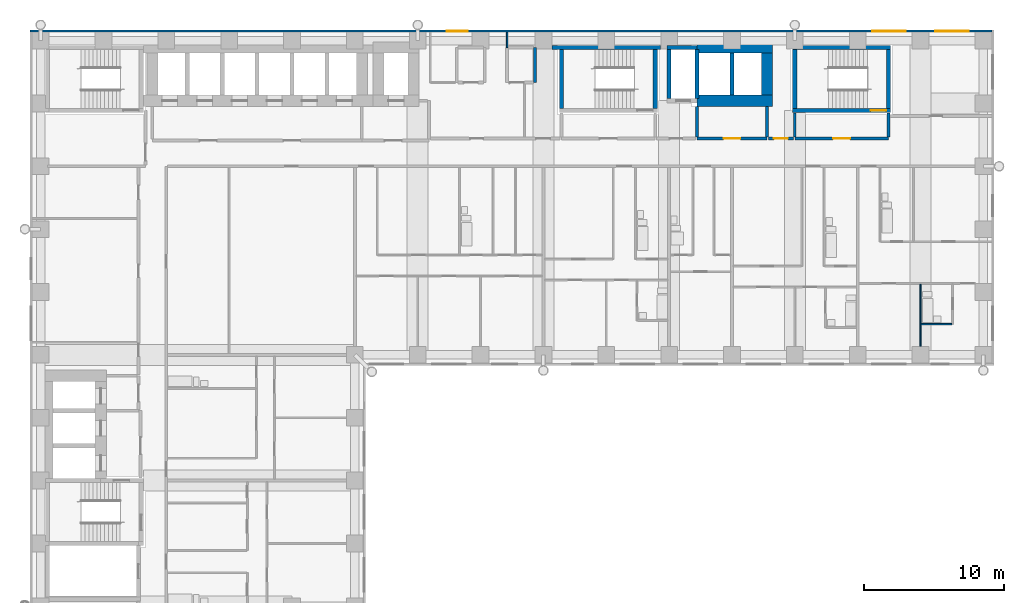
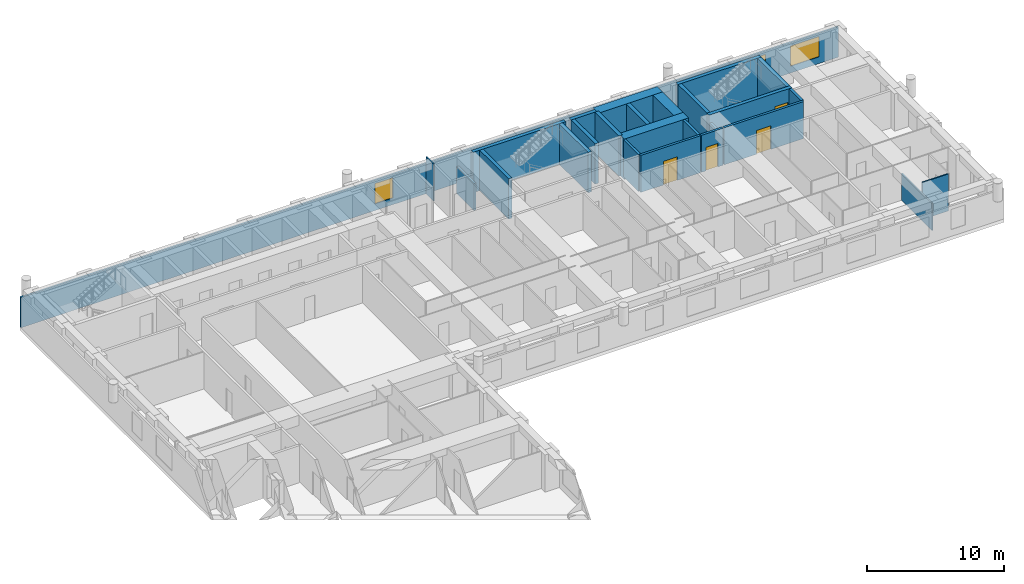
# One storey, part 10 of 14: 26 walls, 4 doors, 3 windows, 7 openings.
"""IFC4 building model written with IfcOpenShell, lengths in metres."""

import ifcopenshell
import ifcopenshell.guid

model = None  # the IFC model being written
_history = None  # IfcOwnerHistory: only IFC2X3 demands one
_inside = {}  # id of a spatial element -> (the spatial element, [elements in it])
_under = {}  # id of a project, library or spatial element -> (it, [spatial elements below it])
_declared = {}  # id of a project -> (the project, [libraries it declares])
_typed = {}  # id of a type object -> (the type object, [elements of that type])
_made_of = {}  # id of a material, layer set ... -> (it, [elements and type objects made of it])


def new_model(schema):
    """Start an empty IFC model of exactly this schema.

    Asked for "IFC4X3", IfcOpenShell would pick the latest addendum, in which some entities
    have other attributes; the version numbers below select the first issue.
    IFC2X3 requires an IfcOwnerHistory on every rooted entity: one is made here for all.
    """
    global model, _history
    if schema == "IFC4X3":
        model = ifcopenshell.file(schema_version=(4, 3, 0, 0))
    else:
        model = ifcopenshell.file(schema=schema)
    _inside.clear()
    _under.clear()
    _declared.clear()
    _typed.clear()
    _made_of.clear()
    _history = None
    if model.schema == "IFC2X3":
        org = make("IfcOrganization", Name="unknown")
        user = make(
            "IfcPersonAndOrganization",
            ThePerson=make("IfcPerson", FamilyName="unknown"),
            TheOrganization=org,
        )
        app = make(
            "IfcApplication",
            ApplicationDeveloper=org,
            Version="unknown",
            ApplicationFullName="unknown",
            ApplicationIdentifier="unknown",
        )
        _history = make(
            "IfcOwnerHistory",
            OwningUser=user,
            OwningApplication=app,
            ChangeAction="ADDED",
            CreationDate=0,
        )
    return model


def make(cls, **values):
    """One entity of the class cls with the attributes given. An attribute that is None is left unset."""
    return model.create_entity(
        cls, **{name: value for name, value in values.items() if value is not None}
    )


def rooted(cls, **values):
    """An entity with a GlobalId (a new one), such as an element, a storey or a relation."""
    return make(cls, GlobalId=ifcopenshell.guid.new(), OwnerHistory=_history, **values)


def si_unit(unit_type, name, prefix=None):
    """IfcSIUnit, for example si_unit("LENGTHUNIT", "METRE", prefix="MILLI")."""
    return make("IfcSIUnit", UnitType=unit_type, Prefix=prefix, Name=name)


def assignment(units):
    """IfcUnitAssignment: the units of a project."""
    return None if units is None else make("IfcUnitAssignment", Units=units)


def point(xyz):
    """IfcCartesianPoint."""
    return None if xyz is None else make("IfcCartesianPoint", Coordinates=xyz)


def direction(xyz):
    """IfcDirection."""
    return None if xyz is None else make("IfcDirection", DirectionRatios=xyz)


def frame(location, z_axis=None, x_axis=None):
    """IfcAxis2Placement3D, a coordinate frame: its origin and axes. An axis left out is left unset."""
    return make(
        "IfcAxis2Placement3D",
        Location=point(location),
        Axis=direction(z_axis),
        RefDirection=direction(x_axis),
    )


def frame_2d(location, x_axis=None):
    """IfcAxis2Placement2D, a coordinate frame in the plane: its origin and x axis."""
    return make(
        "IfcAxis2Placement2D", Location=point(location), RefDirection=direction(x_axis)
    )


def origin():
    """The frame at (0, 0, 0) with its axes left unset."""
    return frame((0.0, 0.0, 0.0))


def place(relative_to, where):
    """IfcLocalPlacement: puts the frame where relative to a parent placement (None: the world)."""
    return make(
        "IfcLocalPlacement", PlacementRelTo=relative_to, RelativePlacement=where
    )


def context(
    kind, dimensions, precision=None, world=None, true_north=None, identifier=None
):
    """IfcGeometricRepresentationContext, for example the 3D "Model" context."""
    return make(
        "IfcGeometricRepresentationContext",
        ContextIdentifier=identifier,
        ContextType=kind,
        CoordinateSpaceDimension=dimensions,
        Precision=precision,
        WorldCoordinateSystem=world,
        TrueNorth=true_north,
    )


def subcontext(parent, identifier, kind, view, scale=None):
    """IfcGeometricRepresentationSubContext, for example "Body" below "Model"."""
    return make(
        "IfcGeometricRepresentationSubContext",
        ContextIdentifier=identifier,
        ContextType=kind,
        ParentContext=parent,
        TargetScale=scale,
        TargetView=view,
    )


def project(units=None, contexts=None):
    """IfcProject with its units and contexts."""
    return rooted(
        "IfcProject",
        Name="project",
        RepresentationContexts=contexts,
        UnitsInContext=assignment(units),
    )


def spatial(cls, under=None, at=None, **own):
    """A site, building, storey or space (cls), placed at a placement, below another one or the project."""
    s = rooted(cls, ObjectPlacement=at, **own)
    if under is not None:
        _under.setdefault(under.id(), (under, []))[1].append(s)
    return s


def profile(cls, at=None, kind="AREA", **sizes):
    """A parametric profile (cls). Its sizes go by their IFC names, for example OverallWidth=200.0."""
    return make(cls, ProfileType=kind, Position=at, **sizes)


def rectangle(**sizes):
    """IfcRectangleProfileDef."""
    return profile("IfcRectangleProfileDef", **sizes)


def extrude(swept, where, along, depth):
    """IfcExtrudedAreaSolid: the profile swept, set in the frame where, extruded along a direction by depth."""
    return make(
        "IfcExtrudedAreaSolid",
        SweptArea=swept,
        Position=where,
        ExtrudedDirection=direction(along),
        Depth=depth,
    )


def shape(context_of_items, identifier, shape_type, items):
    """IfcShapeRepresentation: the items that make up one representation, for example the "Body"."""
    return make(
        "IfcShapeRepresentation",
        ContextOfItems=context_of_items,
        RepresentationIdentifier=identifier,
        RepresentationType=shape_type,
        Items=items,
    )


def material(Name=None, Category=None):
    """IfcMaterial."""
    return make("IfcMaterial", Name=Name, Category=Category)


def layer(
    of_material, thickness, ventilated=None, Name=None, Category=None, Priority=None
):
    """IfcMaterialLayer: one layer of a wall or slab, of a material (None: an air gap)."""
    return make(
        "IfcMaterialLayer",
        Material=of_material,
        LayerThickness=thickness,
        IsVentilated=ventilated,
        Name=Name,
        Category=Category,
        Priority=Priority,
    )


def layer_set(layers, Name=None):
    """IfcMaterialLayerSet."""
    return make("IfcMaterialLayerSet", MaterialLayers=layers, LayerSetName=Name)


def made_of(thing, what):
    """Note that an element or type object is made of a material, layer set ...; save() writes the relation."""
    if what is not None:
        _made_of.setdefault(what.id(), (what, []))[1].append(thing)
    return thing


def type_object(cls, material=None, **own):
    """A type object (cls), such as IfcWallType, which elements share."""
    return made_of(rooted(cls, **own), material)


def element(
    cls,
    number,
    at=None,
    inside=None,
    cuts=None,
    type_object=None,
    material=None,
    context=None,
    identifier="Body",
    shape_type=None,
    held_by="IfcProductDefinitionShape",
    body=None,
    shapes=None,
    **own,
):
    """One element of the class cls, such as IfcWall. Its Tag is "e" and its number.

    at: its placement. inside: the storey or other place that contains it. cuts: it is an
    opening in that element (IfcRelVoidsElement). A single representation is given by context,
    identifier, shape_type and body (its items); several are given by shapes. held_by: the class
    of the entity that holds the representations. save() writes the other relations.
    """
    e = rooted(cls, Tag="e%d" % number, ObjectPlacement=at, **own)
    if body is not None:
        shapes = [shape(context, identifier, shape_type, body)]
    if shapes is not None:
        e.Representation = make(held_by, Representations=shapes)
    if inside is not None:
        _inside.setdefault(inside.id(), (inside, []))[1].append(e)
    if cuts is not None:
        rooted(
            "IfcRelVoidsElement", RelatingBuildingElement=cuts, RelatedOpeningElement=e
        )
    if type_object is not None:
        _typed.setdefault(type_object.id(), (type_object, []))[1].append(e)
    return made_of(e, material)


def fill(opening, filler):
    """IfcRelFillsElement: the door or window that sits in an opening."""
    return rooted(
        "IfcRelFillsElement",
        RelatingOpeningElement=opening,
        RelatedBuildingElement=filler,
    )


def aggregate(whole, parts):
    """IfcRelAggregates: a whole, such as a stair, and the parts it consists of."""
    return rooted("IfcRelAggregates", RelatingObject=whole, RelatedObjects=parts)


def save(model, path):
    """Write the relations noted so far, then the file.

    IfcRelAggregates (storeys below a building ...), IfcRelContainedInSpatialStructure (elements
    in a storey), IfcRelDefinesByType, IfcRelAssociatesMaterial and IfcRelDeclares: one each for
    every whole, place, type object, material and project.
    """
    for whole, parts in _under.values():
        aggregate(whole, parts)
    for where, things in _inside.values():
        rooted(
            "IfcRelContainedInSpatialStructure",
            RelatedElements=things,
            RelatingStructure=where,
        )
    for kind, things in _typed.values():
        rooted("IfcRelDefinesByType", RelatedObjects=things, RelatingType=kind)
    for what, things in _made_of.values():
        rooted("IfcRelAssociatesMaterial", RelatedObjects=things, RelatingMaterial=what)
    for by, libraries in _declared.values():
        rooted("IfcRelDeclares", RelatingContext=by, RelatedDefinitions=libraries)
    model.write(path)


model = new_model("IFC4")

# Units and contexts
model_context = context("Model", 3, precision=1e-05, world=origin(), true_north=direction((0.0, 1.0)))
body_context = subcontext(model_context, "Body", "Model", "MODEL_VIEW")
ifc_project = project(units=[si_unit("LENGTHUNIT", "METRE"), si_unit("AREAUNIT", "SQUARE_METRE"), si_unit("VOLUMEUNIT", "CUBIC_METRE"), si_unit("PLANEANGLEUNIT", "RADIAN"), si_unit("MASSUNIT", "GRAM", prefix="KILO")], contexts=[model_context])

# Site, building, storey
site_placement = place(None, origin())
site = spatial("IfcSite", under=ifc_project, at=site_placement, CompositionType="ELEMENT")
building_placement = place(site_placement, origin())
building = spatial("IfcBuilding", under=site, at=building_placement, Name="Firuza Court", CompositionType="ELEMENT")
storey_placement = place(building_placement, frame((0.0, 0.0, 68.60009765625)))
storey = spatial("IfcBuildingStorey", under=building, at=storey_placement, Name="L16", CompositionType="ELEMENT", Elevation=68.60009765625)

# Walls
ifc_material_1 = material(Name="Moisture-resistant gypsum board partition")
ifc_layer_1 = layer(ifc_material_1, 0.10009765625)
ifc_layer_set_1 = layer_set([ifc_layer_1], Name="Moisture-resistant gypsum board partition")
wall_type_1 = type_object("IfcWallType", Name="Bathroom partition 100", PredefinedType="PLUMBINGWALL", material=ifc_layer_set_1)
wall_1_placement = place(storey_placement, frame((63.050048828125, 38.199951171875, 0.0), z_axis=(0.0, 0.0, 1.0), x_axis=(1.0, 0.0, 0.0)))
element("IfcWall", 1, at=wall_1_placement, inside=storey, type_object=wall_type_1, Name="Bathroom partition 100 L16", PredefinedType="PLUMBINGWALL", context=body_context, shape_type="SweptSolid", body=[
    extrude(rectangle(XDim=2.199951171875, YDim=0.10009765625, at=frame_2d((1.10009765625, 0.0))), origin(), (0.0, 0.0, 1.0), 3.2998046875),
])
ifc_material_2 = material(Name="Concrete C60/75", Category="concrete")
ifc_layer_2 = layer(ifc_material_2, 0.300048828125)
ifc_layer_set_2 = layer_set([ifc_layer_2], Name="Concrete C60/75")
wall_type_2 = type_object("IfcWallType", Name="Core wall 300 C60/75", PredefinedType="SHEAR", material=ifc_layer_set_2)
wall_2_placement = place(storey_placement, frame((36.60009765625, 58.0, -0.300048828125), z_axis=(0.0, 0.0, 1.0), x_axis=(1.0, 0.0, 0.0)))
element("IfcWall", 2, at=wall_2_placement, inside=storey, type_object=wall_type_2, Name="Core wall stair L16", PredefinedType="SHEAR", context=body_context, shape_type="SweptSolid", body=[
    extrude(rectangle(XDim=7.7998046875, YDim=0.300048828125, at=frame_2d((3.89990234375, 0.0))), origin(), (0.0, 0.0, 1.0), 3.599853515625),
])
for number, where, z_axis, x_axis, name in (
    (3, (37.300048828125, 53.64990234375, -0.300048828125), (0.0, 0.0, 1.0), (0.0, 1.0, 0.0), "Core wall stair L16"),
    (4, (44.0, 53.64990234375, -0.300048828125), (0.0, 0.0, 1.0), (0.0, 1.0, 0.0), "Core wall stair L16"),
):
    element("IfcWall", number, at=place(storey_placement, frame(where, z_axis=z_axis, x_axis=x_axis)), inside=storey, type_object=wall_type_2, Name=name, PredefinedType="SHEAR", context=body_context, shape_type="SweptSolid", body=[
        extrude(rectangle(XDim=4.2001953125, YDim=0.300048828125, at=frame_2d((2.10009765625, 0.0))), origin(), (0.0, 0.0, 1.0), 3.599853515625),
    ])
wall_3_placement = place(storey_placement, frame((44.85009765625, 58.0, -0.300048828125), z_axis=(0.0, 0.0, 1.0), x_axis=(1.0, 0.0, 0.0)))
element("IfcWall", 5, at=wall_3_placement, inside=storey, type_object=wall_type_2, Name="Core wall riser L16", PredefinedType="SHEAR", context=body_context, shape_type="SweptSolid", body=[
    extrude(rectangle(XDim=2.14990234375, YDim=0.300048828125, at=frame_2d((1.074951171875, 0.0))), origin(), (0.0, 0.0, 1.0), 3.599853515625),
])
for number, where, z_axis, x_axis, name in (
    (6, (45.0, 54.35009765625, -0.300048828125), (0.0, 0.0, 1.0), (0.0, 1.0, 0.0), "Core wall riser L16"),
    (7, (47.0, 54.35009765625, -0.300048828125), (0.0, 0.0, 1.0), (0.0, 1.0, 0.0), "Core wall lift shaft L16"),
):
    element("IfcWall", number, at=place(storey_placement, frame(where, z_axis=z_axis, x_axis=x_axis)), inside=storey, type_object=wall_type_2, Name=name, PredefinedType="SHEAR", context=body_context, shape_type="SweptSolid", body=[
        extrude(rectangle(XDim=3.5, YDim=0.300048828125, at=frame_2d((1.75, 0.0))), origin(), (0.0, 0.0, 1.0), 3.599853515625),
    ])
wall_4_placement = place(storey_placement, frame((49.5, 54.60009765625, -0.300048828125), z_axis=(0.0, 0.0, 1.0), x_axis=(0.0, 1.0, 0.0)))
element("IfcWall", 8, at=wall_4_placement, inside=storey, type_object=wall_type_2, Name="Core wall lift shaft L16", PredefinedType="SHEAR", context=body_context, shape_type="SweptSolid", body=[
    extrude(rectangle(XDim=3.0, YDim=0.300048828125, at=frame_2d((1.5, 0.0))), origin(), (0.0, 0.0, 1.0), 3.599853515625),
])

# Wall, opening, door
wall_5_placement = place(storey_placement, frame((53.85009765625, 53.5, -0.300048828125), z_axis=(0.0, 0.0, 1.0), x_axis=(1.0, 0.0, 0.0)))
wall_5 = element("IfcWall", 9, at=wall_5_placement, inside=storey, type_object=wall_type_2, Name="Core wall stair L16", PredefinedType="SHEAR", context=body_context, shape_type="SweptSolid", body=[
    extrude(rectangle(XDim=7.0, YDim=0.300048828125, at=frame_2d((3.5, 0.0))), origin(), (0.0, 0.0, 1.0), 3.599853515625),
])
opening_1_placement = place(wall_5_placement, frame((5.580078125, 0.0, 0.300048828125)))
opening_1 = element("IfcOpeningElement", 10, at=opening_1_placement, cuts=wall_5, Name="Opening D16017", PredefinedType="OPENING", context=body_context, shape_type="SweptSolid", body=[
    extrude(rectangle(XDim=1.10009765625, YDim=2.10009765625, at=frame_2d((0.550048828125, 1.050048828125))), frame((0.0, 0.162109375, 0.0), z_axis=(0.0, -1.0, 0.0), x_axis=(1.0, 0.0, 0.0)), (0.0, 0.0, 1.0), 0.323974609375),
])
ifc_material_3 = material(Name="Timber door leaf in hardwood frame", Category="wood")
door_type_1 = type_object("IfcDoorType", Name="Stair door 1100", OperationType="SINGLE_SWING_LEFT", PredefinedType="DOOR", material=ifc_material_3)
door_1_placement = place(opening_1_placement, origin())
door_1 = element("IfcDoor", 11, at=door_1_placement, inside=storey, type_object=door_type_1, Name="Stair door S4", OperationType="SINGLE_SWING_RIGHT", OverallHeight=2.10009765625, OverallWidth=1.10009765625, PredefinedType="DOOR", context=body_context, shape_type="SweptSolid", body=[
    extrude(rectangle(XDim=1.10009765625, YDim=2.10009765625, at=frame_2d((0.550048828125, 1.050048828125))), frame((0.0, 0.02490234375, 0.0), z_axis=(0.0, -1.0, 0.0), x_axis=(1.0, 0.0, 0.0)), (0.0, 0.0, 1.0), 0.050048828125),
])
fill(opening_1, door_1)

# Walls
wall_6_placement = place(storey_placement, frame((53.85009765625, 58.0, -0.300048828125), z_axis=(0.0, 0.0, 1.0), x_axis=(1.0, 0.0, 0.0)))
element("IfcWall", 12, at=wall_6_placement, inside=storey, type_object=wall_type_2, Name="Core wall stair L16", PredefinedType="SHEAR", context=body_context, shape_type="SweptSolid", body=[
    extrude(rectangle(XDim=7.0, YDim=0.300048828125, at=frame_2d((3.5, 0.0))), origin(), (0.0, 0.0, 1.0), 3.599853515625),
])
for number, where, z_axis, x_axis, name in (
    (13, (54.0, 53.64990234375, -0.300048828125), (0.0, 0.0, 1.0), (0.0, 1.0, 0.0), "Core wall stair L16"),
    (14, (60.699951171875, 53.64990234375, -0.300048828125), (0.0, 0.0, 1.0), (0.0, 1.0, 0.0), "Core wall stair L16"),
):
    element("IfcWall", number, at=place(storey_placement, frame(where, z_axis=z_axis, x_axis=x_axis)), inside=storey, type_object=wall_type_2, Name=name, PredefinedType="SHEAR", context=body_context, shape_type="SweptSolid", body=[
        extrude(rectangle(XDim=4.2001953125, YDim=0.300048828125, at=frame_2d((2.10009765625, 0.0))), origin(), (0.0, 0.0, 1.0), 3.599853515625),
    ])
ifc_layer_3 = layer(ifc_material_2, 0.800048828125)
ifc_layer_set_3 = layer_set([ifc_layer_3], Name="Concrete C60/75")
wall_type_3 = type_object("IfcWallType", Name="Core wall 800 C60/75", PredefinedType="SHEAR", material=ifc_layer_set_3)
for number, where, z_axis, x_axis, name in (
    (15, (47.0, 54.199951171875, -0.300048828125), (0.0, 0.0, 1.0), (1.0, 0.0, 0.0), "Core wall lift shaft L16"),
    (16, (47.0, 58.0, -0.300048828125), (0.0, 0.0, 1.0), (1.0, 0.0, 0.0), "Core wall lift shaft L16"),
):
    element("IfcWall", number, at=place(storey_placement, frame(where, z_axis=z_axis, x_axis=x_axis)), inside=storey, type_object=wall_type_3, Name=name, PredefinedType="SHEAR", context=body_context, shape_type="SweptSolid", body=[
        extrude(rectangle(XDim=5.39990234375, YDim=0.800048828125, at=frame_2d((2.699951171875, 0.0))), origin(), (0.0, 0.0, 1.0), 3.599853515625),
    ])
wall_7_placement = place(storey_placement, frame((52.0, 54.60009765625, -0.300048828125), z_axis=(0.0, 0.0, 1.0), x_axis=(0.0, 1.0, 0.0)))
element("IfcWall", 17, at=wall_7_placement, inside=storey, type_object=wall_type_3, Name="Core wall lift shaft L16", PredefinedType="SHEAR", context=body_context, shape_type="SweptSolid", body=[
    extrude(rectangle(XDim=3.0, YDim=0.800048828125, at=frame_2d((1.5, 0.0))), origin(), (0.0, 0.0, 1.0), 3.599853515625),
])

# Wall, opening, door
ifc_material_4 = material(Name="Blockwork, plastered both sides", Category="masonry")
ifc_layer_4 = layer(ifc_material_4, 0.199951171875)
ifc_layer_set_4 = layer_set([ifc_layer_4], Name="Blockwork, plastered both sides")
wall_type_4 = type_object("IfcWallType", Name="Corridor wall 200", PredefinedType="PARTITIONING", material=ifc_layer_set_4)
wall_8_placement = place(storey_placement, frame((52.10009765625, 51.5, 0.0), z_axis=(0.0, 0.0, 1.0), x_axis=(1.0, 0.0, 0.0)))
wall_8 = element("IfcWall", 18, at=wall_8_placement, inside=storey, type_object=wall_type_4, Name="Corridor wall 200 L16", PredefinedType="PARTITIONING", context=body_context, shape_type="SweptSolid", body=[
    extrude(rectangle(XDim=1.7998046875, YDim=0.199951171875, at=frame_2d((0.89990234375, 0.0))), origin(), (0.0, 0.0, 1.0), 3.2998046875),
])
opening_2_placement = place(wall_8_placement, frame((0.39990234375, 0.0, 0.0)))
opening_2 = element("IfcOpeningElement", 19, at=opening_2_placement, cuts=wall_8, Name="Opening D16078", PredefinedType="OPENING", context=body_context, shape_type="SweptSolid", body=[
    extrude(rectangle(XDim=1.0, YDim=2.10009765625, at=frame_2d((0.5, 1.050048828125))), frame((0.0, 0.11181640625, 0.0), z_axis=(0.0, -1.0, 0.0), x_axis=(1.0, 0.0, 0.0)), (0.0, 0.0, 1.0), 0.223876953125),
])
ifc_material_5 = material(Name="Timber door leaf in hardwood frame", Category="wood")
door_type_2 = type_object("IfcDoorType", Name="Store door 1000", OperationType="SINGLE_SWING_LEFT", PredefinedType="DOOR", material=ifc_material_5)
door_2_placement = place(opening_2_placement, origin())
door_2 = element("IfcDoor", 20, at=door_2_placement, inside=storey, type_object=door_type_2, Name="Cleaner's store door", OperationType="SINGLE_SWING_LEFT", OverallHeight=2.10009765625, OverallWidth=1.0, PredefinedType="DOOR", context=body_context, shape_type="SweptSolid", body=[
    extrude(rectangle(XDim=1.0, YDim=2.10009765625, at=frame_2d((0.5, 1.050048828125))), frame((0.0, 0.02490234375, 0.0), z_axis=(0.0, -1.0, 0.0), x_axis=(1.0, 0.0, 0.0)), (0.0, 0.0, 1.0), 0.050048828125),
])
fill(opening_2, door_2)

# Walls
ifc_material_6 = material(Name="Timber stud partition, plasterboard both sides", Category="wood")
ifc_layer_5 = layer(ifc_material_6, 0.10009765625)
ifc_layer_set_5 = layer_set([ifc_layer_5], Name="Timber stud partition, plasterboard both sides")
wall_type_5 = type_object("IfcWallType", Name="Partition wall 100", PredefinedType="PARTITIONING", material=ifc_layer_set_5)
wall_9_placement = place(storey_placement, frame((63.0, 36.60009765625, 0.0), z_axis=(0.0, 0.0, 1.0), x_axis=(0.0, 1.0, 0.0)))
element("IfcWall", 21, at=wall_9_placement, inside=storey, type_object=wall_type_5, Name="Partition wall 100 L16", PredefinedType="PARTITIONING", context=body_context, shape_type="SweptSolid", body=[
    extrude(rectangle(XDim=4.449951171875, YDim=0.10009765625, at=frame_2d((2.22509765625, 0.0))), origin(), (0.0, 0.0, 1.0), 2.39990234375),
])
wall_10_placement = place(storey_placement, frame((33.39990234375, 58.0, 0.0), z_axis=(0.0, 0.0, 1.0), x_axis=(0.0, 1.0, 0.0)))
element("IfcWall", 22, at=wall_10_placement, inside=storey, type_object=wall_type_5, Name="Partition wall 100 L16", PredefinedType="PARTITIONING", context=body_context, shape_type="SweptSolid", body=[
    extrude(rectangle(XDim=1.10009765625, YDim=0.10009765625, at=frame_2d((0.550048828125, 0.0))), origin(), (0.0, 0.0, 1.0), 3.2998046875),
])
ifc_material_7 = material(Name="Blockwork, fire-rated", Category="masonry")
ifc_layer_6 = layer(ifc_material_7, 0.199951171875)
ifc_layer_set_6 = layer_set([ifc_layer_6], Name="Blockwork, fire-rated")
wall_type_6 = type_object("IfcWallType", Name="Plant room wall 200", PredefinedType="PARTITIONING", material=ifc_layer_set_6)
wall_11_placement = place(storey_placement, frame((35.39990234375, 55.5, 0.0), z_axis=(0.0, 0.0, 1.0), x_axis=(0.0, 1.0, 0.0)))
element("IfcWall", 23, at=wall_11_placement, inside=storey, type_object=wall_type_6, Name="Plant room wall 200 L16", PredefinedType="PARTITIONING", context=body_context, shape_type="SweptSolid", body=[
    extrude(rectangle(XDim=2.5, YDim=0.199951171875, at=frame_2d((1.25, 0.0))), origin(), (0.0, 0.0, 1.0), 2.39990234375),
])

# Wall, openings, windows
ifc_material_8 = material(Name="Ceramic tile", Category="ceramic")
ifc_layer_7 = layer(ifc_material_8, 0.02001953125)
ifc_material_9 = material(Name="Mineral wool insulation", Category="insulation")
ifc_layer_8 = layer(ifc_material_9, 0.050048828125)
ifc_material_10 = material(Name="Concrete C40/50 precast", Category="concrete")
ifc_layer_9 = layer(ifc_material_10, 0.080078125)
ifc_layer_set_7 = layer_set([ifc_layer_7, ifc_layer_8, ifc_layer_9], Name="Concrete C40/50 precast")
wall_type_7 = type_object("IfcWallType", Name="Precast cladding wall with turquoise TILE PANEL face 150", PredefinedType="STANDARD", material=ifc_layer_set_7)
wall_12_placement = place(storey_placement, frame((68.10009765625, 59.175048828125, 0.0), z_axis=(0.0, 0.0, 1.0), x_axis=(-1.0, 0.0, 0.0)))
wall_12 = element("IfcWall", 24, at=wall_12_placement, inside=storey, type_object=wall_type_7, Name="Facade wall L16 N", PredefinedType="STANDARD", context=body_context, shape_type="SweptSolid", body=[
    extrude(rectangle(XDim=68.85009765625, YDim=0.14990234375, at=frame_2d((34.425048828125, 0.0))), origin(), (0.0, 0.0, 1.0), 2.699951171875),
])
opening_3_placement = place(wall_12_placement, frame((1.64990234375, 0.0, 0.60009765625)))
opening_3 = element("IfcOpeningElement", 25, at=opening_3_placement, cuts=wall_12, Name="Opening W1", PredefinedType="OPENING", context=body_context, shape_type="SweptSolid", body=[
    extrude(rectangle(XDim=2.39990234375, YDim=1.800048828125, at=frame_2d((1.199951171875, 0.89990234375))), frame((0.0, 0.0869140625, 0.0), z_axis=(0.0, -1.0, 0.0), x_axis=(1.0, 0.0, 0.0)), (0.0, 0.0, 1.0), 0.173828125),
])
opening_4_placement = place(wall_12_placement, frame((6.14990234375, 0.0, 0.60009765625)))
opening_4 = element("IfcOpeningElement", 26, at=opening_4_placement, cuts=wall_12, Name="Opening W1", PredefinedType="OPENING", context=body_context, shape_type="SweptSolid", body=[
    extrude(rectangle(XDim=2.39990234375, YDim=1.800048828125, at=frame_2d((1.199951171875, 0.89990234375))), frame((0.0, 0.0869140625, 0.0), z_axis=(0.0, -1.0, 0.0), x_axis=(1.0, 0.0, 0.0)), (0.0, 0.0, 1.0), 0.173828125),
])
opening_5_placement = place(wall_12_placement, frame((37.529541015625, 0.0, 0.60009765625)))
opening_5 = element("IfcOpeningElement", 27, at=opening_5_placement, cuts=wall_12, Name="Opening W2", PredefinedType="OPENING", context=body_context, shape_type="SweptSolid", body=[
    extrude(rectangle(XDim=1.5, YDim=1.800048828125, at=frame_2d((0.75, 0.89990234375))), frame((0.0, 0.0869140625, 0.0), z_axis=(0.0, -1.0, 0.0), x_axis=(1.0, 0.0, 0.0)), (0.0, 0.0, 1.0), 0.173828125),
])
ifc_material_11 = material(Name="Aluminium frame, triple clear glazing", Category="aluminium")
window_type_1 = type_object("IfcWindowType", Name="Window W1 2400 x 1800", PartitioningType="SINGLE_PANEL", PredefinedType="WINDOW", material=ifc_material_11)
window_1_placement = place(opening_3_placement, origin())
window_1 = element("IfcWindow", 28, at=window_1_placement, inside=storey, type_object=window_type_1, Name="Window L16", OverallHeight=1.800048828125, OverallWidth=2.39990234375, PartitioningType="SINGLE_PANEL", PredefinedType="WINDOW", context=body_context, shape_type="SweptSolid", body=[
    extrude(rectangle(XDim=2.39990234375, YDim=1.800048828125, at=frame_2d((1.199951171875, 0.89990234375))), frame((0.0, 0.030029296875, 0.0), z_axis=(0.0, -1.0, 0.0), x_axis=(1.0, 0.0, 0.0)), (0.0, 0.0, 1.0), 0.06005859375),
])
fill(opening_3, window_1)
window_2_placement = place(opening_4_placement, origin())
window_2 = element("IfcWindow", 29, at=window_2_placement, inside=storey, type_object=window_type_1, Name="Window L16", OverallHeight=1.800048828125, OverallWidth=2.39990234375, PartitioningType="SINGLE_PANEL", PredefinedType="WINDOW", context=body_context, shape_type="SweptSolid", body=[
    extrude(rectangle(XDim=2.39990234375, YDim=1.800048828125, at=frame_2d((1.199951171875, 0.89990234375))), frame((0.0, 0.030029296875, 0.0), z_axis=(0.0, -1.0, 0.0), x_axis=(1.0, 0.0, 0.0)), (0.0, 0.0, 1.0), 0.06005859375),
])
fill(opening_4, window_2)
ifc_material_12 = material(Name="Aluminium frame, triple clear glazing", Category="aluminium")
window_type_2 = type_object("IfcWindowType", Name="Window W2 1500 x 1800", PartitioningType="SINGLE_PANEL", PredefinedType="WINDOW", material=ifc_material_12)
window_3_placement = place(opening_5_placement, origin())
window_3 = element("IfcWindow", 30, at=window_3_placement, inside=storey, type_object=window_type_2, Name="Window L16", OverallHeight=1.800048828125, OverallWidth=1.5, PartitioningType="SINGLE_PANEL", PredefinedType="WINDOW", context=body_context, shape_type="SweptSolid", body=[
    extrude(rectangle(XDim=1.5, YDim=1.800048828125, at=frame_2d((0.75, 0.89990234375))), frame((0.0, 0.030029296875, 0.0), z_axis=(0.0, -1.0, 0.0), x_axis=(1.0, 0.0, 0.0)), (0.0, 0.0, 1.0), 0.06005859375),
])
fill(opening_5, window_3)

# Wall, opening, door
ifc_layer_10 = layer(ifc_material_7, 0.199951171875)
ifc_layer_set_8 = layer_set([ifc_layer_10], Name="Blockwork, fire-rated")
wall_type_8 = type_object("IfcWallType", Name="Shaft wall 200", PredefinedType="PARTITIONING", material=ifc_layer_set_8)
wall_13_placement = place(storey_placement, frame((47.0, 51.5, 0.0), z_axis=(0.0, 0.0, 1.0), x_axis=(1.0, 0.0, 0.0)))
wall_13 = element("IfcWall", 31, at=wall_13_placement, inside=storey, type_object=wall_type_8, Name="Shaft wall 200 L16", PredefinedType="PARTITIONING", context=body_context, shape_type="SweptSolid", body=[
    extrude(rectangle(XDim=5.0, YDim=0.199951171875, at=frame_2d((2.5, 0.0))), origin(), (0.0, 0.0, 1.0), 3.2998046875),
])
opening_6_placement = place(wall_13_placement, frame((1.89990234375, 0.0, 0.0)))
opening_6 = element("IfcOpeningElement", 32, at=opening_6_placement, cuts=wall_13, Name="Opening D16009", PredefinedType="OPENING", context=body_context, shape_type="SweptSolid", body=[
    extrude(rectangle(XDim=1.199951171875, YDim=2.10009765625, at=frame_2d((0.60009765625, 1.050048828125))), frame((0.0, 0.11181640625, 0.0), z_axis=(0.0, -1.0, 0.0), x_axis=(1.0, 0.0, 0.0)), (0.0, 0.0, 1.0), 0.223876953125),
])
ifc_material_13 = material(Name="Timber door leaf in hardwood frame", Category="wood")
door_type_3 = type_object("IfcDoorType", Name="Lobby door 1200", OperationType="SINGLE_SWING_LEFT", PredefinedType="DOOR", material=ifc_material_13)
door_3_placement = place(opening_6_placement, origin())
door_3 = element("IfcDoor", 33, at=door_3_placement, inside=storey, type_object=door_type_3, Name="Lobby door", OperationType="SINGLE_SWING_LEFT", OverallHeight=2.10009765625, OverallWidth=1.199951171875, PredefinedType="DOOR", context=body_context, shape_type="SweptSolid", body=[
    extrude(rectangle(XDim=1.199951171875, YDim=2.10009765625, at=frame_2d((0.60009765625, 1.050048828125))), frame((0.0, 0.02490234375, 0.0), z_axis=(0.0, -1.0, 0.0), x_axis=(1.0, 0.0, 0.0)), (0.0, 0.0, 1.0), 0.050048828125),
])
fill(opening_6, door_3)

# Walls
for number, where, z_axis, x_axis, name in (
    (34, (52.0, 51.60009765625, 0.0), (0.0, 0.0, 1.0), (0.0, 1.0, 0.0), "Shaft wall 200 L16"),
    (35, (47.0, 51.60009765625, 0.0), (0.0, 0.0, 1.0), (0.0, 1.0, 0.0), "Shaft wall 200 L16"),
):
    element("IfcWall", number, at=place(storey_placement, frame(where, z_axis=z_axis, x_axis=x_axis)), inside=storey, type_object=wall_type_8, Name=name, PredefinedType="PARTITIONING", context=body_context, shape_type="SweptSolid", body=[
        extrude(rectangle(XDim=2.179931640625, YDim=0.199951171875, at=frame_2d((1.08984375, 0.0))), origin(), (0.0, 0.0, 1.0), 3.2998046875),
    ])

# Wall, opening, door
wall_14_placement = place(storey_placement, frame((54.0, 51.5, 0.0), z_axis=(0.0, 0.0, 1.0), x_axis=(1.0, 0.0, 0.0)))
wall_14 = element("IfcWall", 36, at=wall_14_placement, inside=storey, type_object=wall_type_8, Name="Shaft wall 200 L16", PredefinedType="PARTITIONING", context=body_context, shape_type="SweptSolid", body=[
    extrude(rectangle(XDim=6.699951171875, YDim=0.199951171875, at=frame_2d((3.35009765625, 0.0))), origin(), (0.0, 0.0, 1.0), 3.2998046875),
])
opening_7_placement = place(wall_14_placement, frame((2.75, 0.0, 0.0)))
opening_7 = element("IfcOpeningElement", 37, at=opening_7_placement, cuts=wall_14, Name="Opening D16007", PredefinedType="OPENING", context=body_context, shape_type="SweptSolid", body=[
    extrude(rectangle(XDim=1.199951171875, YDim=2.10009765625, at=frame_2d((0.60009765625, 1.050048828125))), frame((0.0, 0.11181640625, 0.0), z_axis=(0.0, -1.0, 0.0), x_axis=(1.0, 0.0, 0.0)), (0.0, 0.0, 1.0), 0.223876953125),
])
door_4_placement = place(opening_7_placement, origin())
door_4 = element("IfcDoor", 38, at=door_4_placement, inside=storey, type_object=door_type_3, Name="Lobby door", OperationType="SINGLE_SWING_LEFT", OverallHeight=2.10009765625, OverallWidth=1.199951171875, PredefinedType="DOOR", context=body_context, shape_type="SweptSolid", body=[
    extrude(rectangle(XDim=1.199951171875, YDim=2.10009765625, at=frame_2d((0.60009765625, 1.050048828125))), frame((0.0, 0.02490234375, 0.0), z_axis=(0.0, -1.0, 0.0), x_axis=(1.0, 0.0, 0.0)), (0.0, 0.0, 1.0), 0.050048828125),
])
fill(opening_7, door_4)

# Walls
wall_15_placement = place(storey_placement, frame((60.699951171875, 51.60009765625, 0.0), z_axis=(0.0, 0.0, 1.0), x_axis=(0.0, 1.0, 0.0)))
element("IfcWall", 39, at=wall_15_placement, inside=storey, type_object=wall_type_8, Name="Shaft wall 200 L16", PredefinedType="PARTITIONING", context=body_context, shape_type="SweptSolid", body=[
    extrude(rectangle(XDim=1.72998046875, YDim=0.199951171875, at=frame_2d((0.864990234375, 0.0))), origin(), (0.0, 0.0, 1.0), 3.2998046875),
])
wall_16_placement = place(storey_placement, frame((54.0, 51.60009765625, 0.0), z_axis=(0.0, 0.0, 1.0), x_axis=(0.0, 1.0, 0.0)))
element("IfcWall", 40, at=wall_16_placement, inside=storey, type_object=wall_type_8, Name="Shaft wall 200 L16", PredefinedType="PARTITIONING", context=body_context, shape_type="SweptSolid", body=[
    extrude(rectangle(XDim=1.72998046875, YDim=0.199951171875, at=frame_2d((0.864990234375, 0.0))), origin(), (0.0, 0.0, 1.0), 2.599853515625),
])

save(model, "model.ifc")
